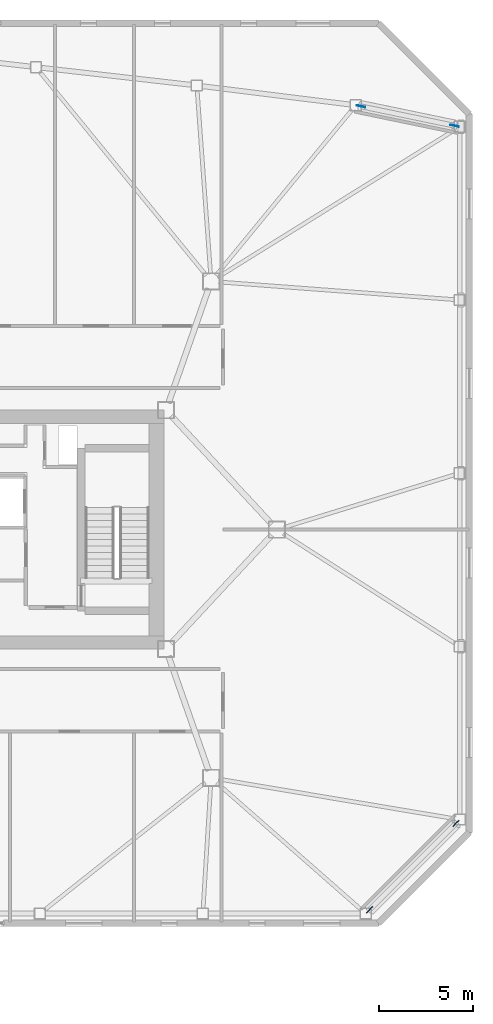
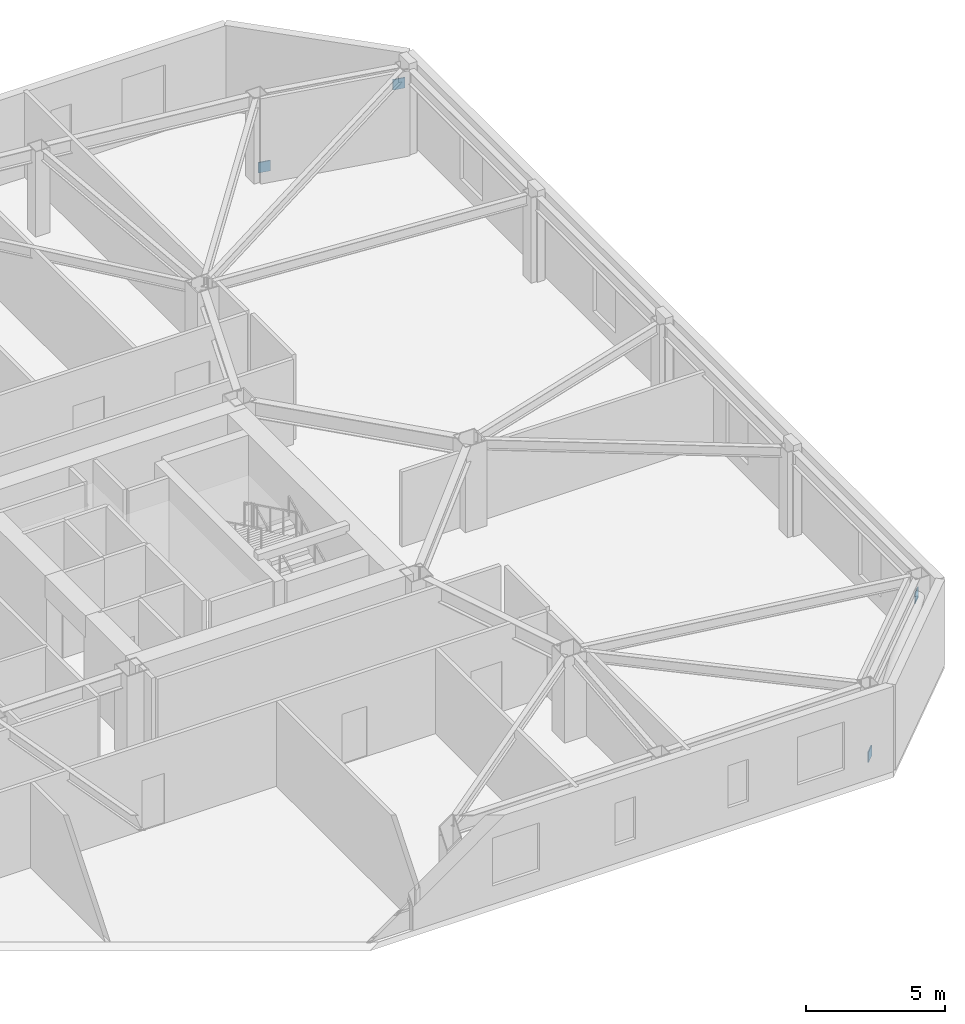
# One storey, part 16 of 17: 4 discrete accessories.
"""IFC4 building model written with IfcOpenShell, lengths in metres."""

from ifc_helpers import new_model, si_unit, direction, frame, origin, origin_2d, place, context, subcontext, project, spatial, rectangle, extrude, material, type_object, element, save


model = new_model("IFC4")

# Units and contexts
model_context = context("Model", 3, precision=1e-05, world=origin(), true_north=direction((0.0, 1.0)))
body_context = subcontext(model_context, "Body", "Model", "MODEL_VIEW")
ifc_project = project(units=[si_unit("LENGTHUNIT", "METRE"), si_unit("AREAUNIT", "SQUARE_METRE"), si_unit("VOLUMEUNIT", "CUBIC_METRE"), si_unit("PLANEANGLEUNIT", "RADIAN"), si_unit("MASSUNIT", "GRAM", prefix="KILO")], contexts=[model_context])

# Site, building, storey
site_placement = place(None, origin())
site = spatial("IfcSite", under=ifc_project, at=site_placement, CompositionType="ELEMENT")
building_placement = place(site_placement, origin())
building = spatial("IfcBuilding", under=site, at=building_placement, Name="Tavrogorsk Clinical Tower", CompositionType="ELEMENT")
storey_placement = place(building_placement, frame((0.0, 0.0, 160.199951171875)))
storey = spatial("IfcBuildingStorey", under=building, at=storey_placement, Name="L36", CompositionType="ELEMENT", Elevation=160.199951171875)

# Discrete accessories
ifc_material = material(Name="Structural steel S440", Category="steel")
discrete_accessory_type = type_object("IfcDiscreteAccessoryType", Name="GussetPlateBracket_25", PredefinedType="BRACKET", material=ifc_material)
for number, where, z_axis, x_axis, name in (
    (1, (32.922607421875, -20.217529296875, 0.18310546875), (0.0, 0.0, 1.0), (0.707106781187, 0.707106781187, 0.0), "L36 Brace Gusset Plate EXOCRN-L36-1-A"),
    (2, (37.517333984375, -15.62255859375, 2.7470703125), (0.0, 0.0, 1.0), (0.707106781187, 0.707106781187, 0.0), "L36 Brace Gusset Plate EXOCRN-L36-1-B"),
    (3, (32.461669921875, 22.509765625, 0.20654296875), (0.0, 0.0, 1.0), (0.979187402648, -0.202958198889, 0.0), "L36 Brace Gusset Plate EXOCRN-L36-2-A"),
    (4, (37.44970703125, 21.47607421875, 2.7236328125), (0.0, 0.0, 1.0), (0.979187402648, -0.202958198889, 0.0), "L36 Brace Gusset Plate EXOCRN-L36-2-B"),
):
    element("IfcDiscreteAccessory", number, at=place(storey_placement, frame(where, z_axis=z_axis, x_axis=x_axis)), inside=storey, type_object=discrete_accessory_type, Name=name, PredefinedType="BRACKET", context=body_context, shape_type="SweptSolid", body=[
        extrude(rectangle(XDim=0.4599609375, YDim=0.0400390625, at=origin_2d()), origin(), (0.0, 0.0, 1.0), 0.4599609375),
    ])

save(model, "model.ifc")
